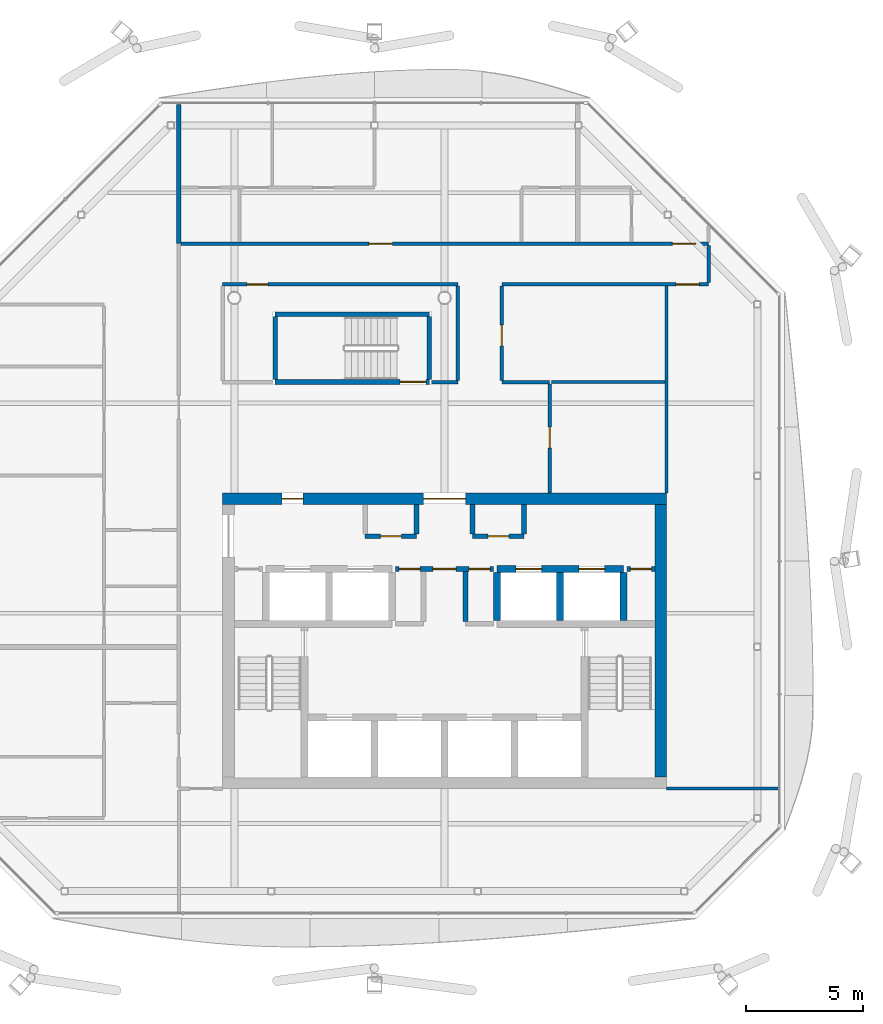
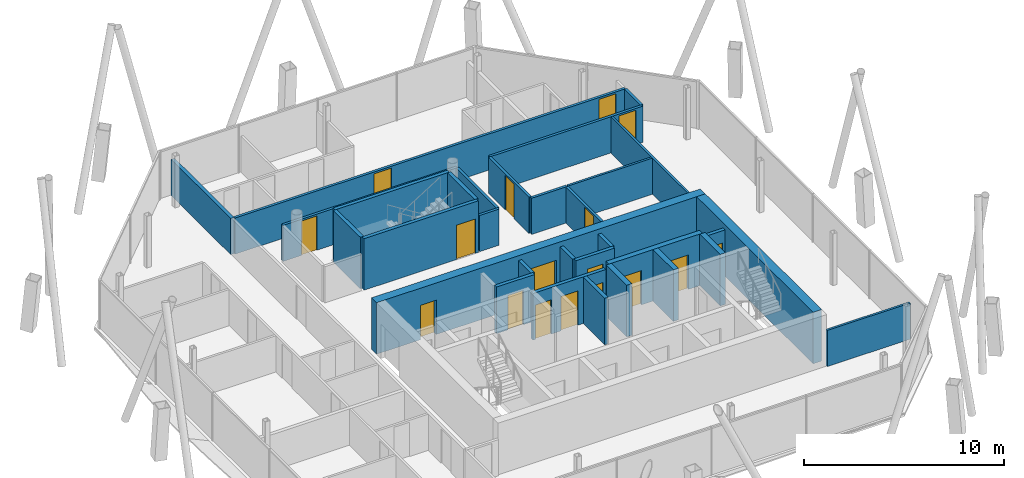
# One storey, part 11 of 16: 31 walls, 17 doors, 17 openings.
"""IFC4 building model written with IfcOpenShell, lengths in metres."""

from ifc_helpers import new_model, si_unit, direction, frame, frame_2d, origin, place, context, subcontext, project, spatial, rectangle, extrude, material, layer, layer_set, type_object, element, fill, save


model = new_model("IFC4")

# Units and contexts
model_context = context("Model", 3, precision=1e-05, world=origin(), true_north=direction((0.0, 1.0)))
body_context = subcontext(model_context, "Body", "Model", "MODEL_VIEW")
ifc_project = project(units=[si_unit("LENGTHUNIT", "METRE"), si_unit("AREAUNIT", "SQUARE_METRE"), si_unit("VOLUMEUNIT", "CUBIC_METRE"), si_unit("PLANEANGLEUNIT", "RADIAN"), si_unit("MASSUNIT", "GRAM", prefix="KILO")], contexts=[model_context])

# Site, building, storey
site_placement = place(None, origin())
site = spatial("IfcSite", under=ifc_project, at=site_placement, CompositionType="ELEMENT")
building_placement = place(site_placement, origin())
building = spatial("IfcBuilding", under=site, at=building_placement, Name="Tskaro Facet Tower", CompositionType="ELEMENT")
storey_placement = place(building_placement, frame((0.0, 0.0, 245.550048828125)))
storey = spatial("IfcBuildingStorey", under=building, at=storey_placement, Name="L64", CompositionType="ELEMENT", Elevation=245.550048828125)

# Wall, openings, doors
ifc_material_1 = material(Name="Concrete C60/75", Category="concrete")
ifc_layer_1 = layer(ifc_material_1, 0.300048828125, Name="Concrete C60/75")
ifc_layer_set_1 = layer_set([ifc_layer_1], Name="Concrete C60/75")
wall_type_1 = type_object("IfcWallType", Name="CORE-SHAFT", PredefinedType="SHEAR", material=ifc_layer_set_1)
wall_1_placement = place(storey_placement, frame((2.25, -2.60009765625, 0.0), z_axis=(0.0, 0.0, 1.0), x_axis=(1.0, 0.0, 0.0)))
wall_1 = element("IfcWall", 1, at=wall_1_placement, inside=storey, type_object=wall_type_1, Name="Shaft wall W018", PredefinedType="SHEAR", context=body_context, shape_type="SweptSolid", body=[
    extrude(rectangle(XDim=5.39990234375, YDim=0.300048828125, at=frame_2d((2.699951171875, 0.0))), origin(), (0.0, 0.0, 1.0), 3.14990234375),
])
opening_1_placement = place(wall_1_placement, frame((0.800048828125, 0.0, 0.0)))
opening_1 = element("IfcOpeningElement", 2, at=opening_1_placement, cuts=wall_1, Name="Opening LD-HB3", PredefinedType="OPENING", context=body_context, shape_type="SweptSolid", body=[
    extrude(rectangle(XDim=1.10009765625, YDim=2.10009765625, at=frame_2d((0.550048828125, 1.050048828125))), frame((0.0, 0.159912109375, 0.0), z_axis=(0.0, -1.0, 0.0), x_axis=(1.0, 0.0, 0.0)), (0.0, 0.0, 1.0), 0.320068359375),
])
opening_2_placement = place(wall_1_placement, frame((3.5, 0.0, 0.0)))
opening_2 = element("IfcOpeningElement", 3, at=opening_2_placement, cuts=wall_1, Name="Opening LD-HB4", PredefinedType="OPENING", context=body_context, shape_type="SweptSolid", body=[
    extrude(rectangle(XDim=1.10009765625, YDim=2.10009765625, at=frame_2d((0.550048828125, 1.050048828125))), frame((0.0, 0.159912109375, 0.0), z_axis=(0.0, -1.0, 0.0), x_axis=(1.0, 0.0, 0.0)), (0.0, 0.0, 1.0), 0.320068359375),
])
ifc_material_2 = material(Name="Stainless steel", Category="steel")
door_type_1 = type_object("IfcDoorType", Name="D-LANDING", OperationType="NOTDEFINED", PredefinedType="DOOR", material=ifc_material_2)
door_1_placement = place(opening_1_placement, origin())
door_1 = element("IfcDoor", 4, at=door_1_placement, inside=storey, type_object=door_type_1, Name="Landing door HB3", OperationType="DOUBLE_DOOR_SLIDING", OverallHeight=2.10009765625, OverallWidth=1.10009765625, PredefinedType="DOOR", context=body_context, shape_type="SweptSolid", body=[
    extrude(rectangle(XDim=1.10009765625, YDim=2.10009765625, at=frame_2d((0.550048828125, 1.050048828125))), frame((0.0, 0.02490234375, 0.0), z_axis=(0.0, -1.0, 0.0), x_axis=(1.0, 0.0, 0.0)), (0.0, 0.0, 1.0), 0.050048828125),
])
fill(opening_1, door_1)
door_2_placement = place(opening_2_placement, origin())
door_2 = element("IfcDoor", 5, at=door_2_placement, inside=storey, type_object=door_type_1, Name="Landing door HB4", OperationType="DOUBLE_DOOR_SLIDING", OverallHeight=2.10009765625, OverallWidth=1.10009765625, PredefinedType="DOOR", context=body_context, shape_type="SweptSolid", body=[
    extrude(rectangle(XDim=1.10009765625, YDim=2.10009765625, at=frame_2d((0.550048828125, 1.050048828125))), frame((0.0, 0.02490234375, 0.0), z_axis=(0.0, -1.0, 0.0), x_axis=(1.0, 0.0, 0.0)), (0.0, 0.0, 1.0), 0.050048828125),
])
fill(opening_2, door_2)

# Walls
for number, where, z_axis, x_axis, name in (
    (6, (2.25, -4.800048828125, 0.0), (0.0, 0.0, 1.0), (0.0, 1.0, 0.0), "Shaft wall W062"),
    (7, (4.949951171875, -4.800048828125, 0.0), (0.0, 0.0, 1.0), (0.0, 1.0, 0.0), "Shaft wall W068"),
    (8, (7.64990234375, -4.800048828125, 0.0), (0.0, 0.0, 1.0), (0.0, 1.0, 0.0), "Shaft wall W072"),
):
    element("IfcWall", number, at=place(storey_placement, frame(where, z_axis=z_axis, x_axis=x_axis)), inside=storey, type_object=wall_type_1, Name=name, PredefinedType="SHEAR", context=body_context, shape_type="SweptSolid", body=[
        extrude(rectangle(XDim=2.050048828125, YDim=0.300048828125, at=frame_2d((1.02490234375, 0.0))), origin(), (0.0, 0.0, 1.0), 3.14990234375),
    ])

# Wall, openings, doors
ifc_material_3 = material(Name="Concrete C20/25", Category="concrete")
ifc_layer_2 = layer(ifc_material_3, 0.199951171875, Name="Concrete C20/25")
ifc_layer_set_2 = layer_set([ifc_layer_2], Name="Concrete C20/25")
wall_type_2 = type_object("IfcWallType", Name="CORE-WALL", PredefinedType="SOLIDWALL", material=ifc_layer_set_2)
wall_2_placement = place(storey_placement, frame((2.10009765625, -2.60009765625, 0.0), z_axis=(0.0, 0.0, 1.0), x_axis=(-1.0, 0.0, 0.0)))
wall_2 = element("IfcWall", 9, at=wall_2_placement, inside=storey, type_object=wall_type_2, Name="Core room wall W017", PredefinedType="SOLIDWALL", context=body_context, shape_type="SweptSolid", body=[
    extrude(rectangle(XDim=4.2001953125, YDim=0.199951171875, at=frame_2d((2.10009765625, 0.0))), origin(), (0.0, 0.0, 1.0), 2.849853515625),
])
opening_3_placement = place(wall_2_placement, frame((1.60009765625, 0.0, 0.0)))
opening_3 = element("IfcOpeningElement", 10, at=opening_3_placement, cuts=wall_2, Name="Opening FL-D1", PredefinedType="OPENING", context=body_context, shape_type="SweptSolid", body=[
    extrude(rectangle(XDim=1.0, YDim=2.10009765625, at=frame_2d((0.5, 1.050048828125))), frame((0.0, 0.10986328125, 0.0), z_axis=(0.0, -1.0, 0.0), x_axis=(1.0, 0.0, 0.0)), (0.0, 0.0, 1.0), 0.219970703125),
])
opening_4_placement = place(wall_2_placement, frame((3.14990234375, 0.0, 0.0)))
opening_4 = element("IfcOpeningElement", 11, at=opening_4_placement, cuts=wall_2, Name="Opening T19-D08", PredefinedType="OPENING", context=body_context, shape_type="SweptSolid", body=[
    extrude(rectangle(XDim=0.89990234375, YDim=2.10009765625, at=frame_2d((0.449951171875, 1.050048828125))), frame((0.0, 0.10986328125, 0.0), z_axis=(0.0, -1.0, 0.0), x_axis=(1.0, 0.0, 0.0)), (0.0, 0.0, 1.0), 0.219970703125),
])
opening_5_placement = place(wall_2_placement, frame((0.14990234375, 0.0, 0.0)))
opening_5 = element("IfcOpeningElement", 12, at=opening_5_placement, cuts=wall_2, Name="Opening T19-D09", PredefinedType="OPENING", context=body_context, shape_type="SweptSolid", body=[
    extrude(rectangle(XDim=0.89990234375, YDim=2.10009765625, at=frame_2d((0.449951171875, 1.050048828125))), frame((0.0, 0.10986328125, 0.0), z_axis=(0.0, -1.0, 0.0), x_axis=(1.0, 0.0, 0.0)), (0.0, 0.0, 1.0), 0.219970703125),
])
ifc_material_4 = material(Name="Steel", Category="steel")
door_type_2 = type_object("IfcDoorType", Name="D-LOBBY", OperationType="NOTDEFINED", PredefinedType="DOOR", material=ifc_material_4)
door_3_placement = place(opening_3_placement, origin())
door_3 = element("IfcDoor", 13, at=door_3_placement, inside=storey, type_object=door_type_2, Name="Lobby door FL", OperationType="SINGLE_SWING_RIGHT", OverallHeight=2.10009765625, OverallWidth=1.0, PredefinedType="DOOR", context=body_context, shape_type="SweptSolid", body=[
    extrude(rectangle(XDim=1.0, YDim=2.10009765625, at=frame_2d((0.5, 1.050048828125))), frame((0.0, 0.02490234375, 0.0), z_axis=(0.0, -1.0, 0.0), x_axis=(1.0, 0.0, 0.0)), (0.0, 0.0, 1.0), 0.050048828125),
])
fill(opening_3, door_3)
ifc_material_5 = material(Name="Timber", Category="wood")
door_type_3 = type_object("IfcDoorType", Name="D-ROOM", OperationType="NOTDEFINED", PredefinedType="DOOR", material=ifc_material_5)
door_4_placement = place(opening_4_placement, origin())
door_4 = element("IfcDoor", 14, at=door_4_placement, inside=storey, type_object=door_type_3, Name="Door T19-D08", OperationType="SINGLE_SWING_RIGHT", OverallHeight=2.10009765625, OverallWidth=0.89990234375, PredefinedType="DOOR", context=body_context, shape_type="SweptSolid", body=[
    extrude(rectangle(XDim=0.89990234375, YDim=2.10009765625, at=frame_2d((0.449951171875, 1.050048828125))), frame((0.0, 0.02490234375, 0.0), z_axis=(0.0, -1.0, 0.0), x_axis=(1.0, 0.0, 0.0)), (0.0, 0.0, 1.0), 0.050048828125),
])
fill(opening_4, door_4)
door_5_placement = place(opening_5_placement, origin())
door_5 = element("IfcDoor", 15, at=door_5_placement, inside=storey, type_object=door_type_3, Name="Door T19-D09", OperationType="SINGLE_SWING_RIGHT", OverallHeight=2.10009765625, OverallWidth=0.89990234375, PredefinedType="DOOR", context=body_context, shape_type="SweptSolid", body=[
    extrude(rectangle(XDim=0.89990234375, YDim=2.10009765625, at=frame_2d((0.449951171875, 1.050048828125))), frame((0.0, 0.02490234375, 0.0), z_axis=(0.0, -1.0, 0.0), x_axis=(1.0, 0.0, 0.0)), (0.0, 0.0, 1.0), 0.050048828125),
])
fill(opening_5, door_5)

# Wall, opening, door
wall_3_placement = place(storey_placement, frame((9.0, -2.60009765625, 0.0), z_axis=(0.0, 0.0, 1.0), x_axis=(-1.0, 0.0, 0.0)))
wall_3 = element("IfcWall", 16, at=wall_3_placement, inside=storey, type_object=wall_type_2, Name="Core room wall W019", PredefinedType="SOLIDWALL", context=body_context, shape_type="SweptSolid", body=[
    extrude(rectangle(XDim=1.199951171875, YDim=0.199951171875, at=frame_2d((0.60009765625, 0.0))), origin(), (0.0, 0.0, 1.0), 2.849853515625),
])
opening_6_placement = place(wall_3_placement, frame((0.14990234375, 0.0, 0.0)))
opening_6 = element("IfcOpeningElement", 17, at=opening_6_placement, cuts=wall_3, Name="Opening T19-D10", PredefinedType="OPENING", context=body_context, shape_type="SweptSolid", body=[
    extrude(rectangle(XDim=0.89990234375, YDim=2.10009765625, at=frame_2d((0.449951171875, 1.050048828125))), frame((0.0, 0.10986328125, 0.0), z_axis=(0.0, -1.0, 0.0), x_axis=(1.0, 0.0, 0.0)), (0.0, 0.0, 1.0), 0.219970703125),
])
door_6_placement = place(opening_6_placement, origin())
door_6 = element("IfcDoor", 18, at=door_6_placement, inside=storey, type_object=door_type_3, Name="Door T19-D10", OperationType="SINGLE_SWING_RIGHT", OverallHeight=2.10009765625, OverallWidth=0.89990234375, PredefinedType="DOOR", context=body_context, shape_type="SweptSolid", body=[
    extrude(rectangle(XDim=0.89990234375, YDim=2.10009765625, at=frame_2d((0.449951171875, 1.050048828125))), frame((0.0, 0.02490234375, 0.0), z_axis=(0.0, -1.0, 0.0), x_axis=(1.0, 0.0, 0.0)), (0.0, 0.0, 1.0), 0.050048828125),
])
fill(opening_6, door_6)

wall_4_placement = place(storey_placement, frame((-3.39990234375, -1.199951171875, 0.0), z_axis=(0.0, 0.0, 1.0), x_axis=(1.0, 0.0, 0.0)))
wall_4 = element("IfcWall", 19, at=wall_4_placement, inside=storey, type_object=wall_type_2, Name="Core room wall W020", PredefinedType="SOLIDWALL", context=body_context, shape_type="SweptSolid", body=[
    extrude(rectangle(XDim=2.199951171875, YDim=0.199951171875, at=frame_2d((1.10009765625, 0.0))), origin(), (0.0, 0.0, 1.0), 2.849853515625),
])
opening_7_placement = place(wall_4_placement, frame((0.64990234375, 0.0, 0.0)))
opening_7 = element("IfcOpeningElement", 20, at=opening_7_placement, cuts=wall_4, Name="Opening T19-D12", PredefinedType="OPENING", context=body_context, shape_type="SweptSolid", body=[
    extrude(rectangle(XDim=0.89990234375, YDim=2.10009765625, at=frame_2d((0.449951171875, 1.050048828125))), frame((0.0, 0.10986328125, 0.0), z_axis=(0.0, -1.0, 0.0), x_axis=(1.0, 0.0, 0.0)), (0.0, 0.0, 1.0), 0.219970703125),
])
door_7_placement = place(opening_7_placement, origin())
door_7 = element("IfcDoor", 21, at=door_7_placement, inside=storey, type_object=door_type_3, Name="Door T19-D12", OperationType="SINGLE_SWING_LEFT", OverallHeight=2.10009765625, OverallWidth=0.89990234375, PredefinedType="DOOR", context=body_context, shape_type="SweptSolid", body=[
    extrude(rectangle(XDim=0.89990234375, YDim=2.10009765625, at=frame_2d((0.449951171875, 1.050048828125))), frame((0.0, 0.02490234375, 0.0), z_axis=(0.0, -1.0, 0.0), x_axis=(1.0, 0.0, 0.0)), (0.0, 0.0, 1.0), 0.050048828125),
])
fill(opening_7, door_7)

wall_5_placement = place(storey_placement, frame((1.199951171875, -1.199951171875, 0.0), z_axis=(0.0, 0.0, 1.0), x_axis=(1.0, 0.0, 0.0)))
wall_5 = element("IfcWall", 22, at=wall_5_placement, inside=storey, type_object=wall_type_2, Name="Core room wall W021", PredefinedType="SOLIDWALL", context=body_context, shape_type="SweptSolid", body=[
    extrude(rectangle(XDim=2.199951171875, YDim=0.199951171875, at=frame_2d((1.10009765625, 0.0))), origin(), (0.0, 0.0, 1.0), 2.849853515625),
])
opening_8_placement = place(wall_5_placement, frame((0.64990234375, 0.0, 0.0)))
opening_8 = element("IfcOpeningElement", 23, at=opening_8_placement, cuts=wall_5, Name="Opening T19-D13", PredefinedType="OPENING", context=body_context, shape_type="SweptSolid", body=[
    extrude(rectangle(XDim=0.89990234375, YDim=2.10009765625, at=frame_2d((0.449951171875, 1.050048828125))), frame((0.0, 0.10986328125, 0.0), z_axis=(0.0, -1.0, 0.0), x_axis=(1.0, 0.0, 0.0)), (0.0, 0.0, 1.0), 0.219970703125),
])
door_8_placement = place(opening_8_placement, origin())
door_8 = element("IfcDoor", 24, at=door_8_placement, inside=storey, type_object=door_type_3, Name="Door T19-D13", OperationType="SINGLE_SWING_LEFT", OverallHeight=2.10009765625, OverallWidth=0.89990234375, PredefinedType="DOOR", context=body_context, shape_type="SweptSolid", body=[
    extrude(rectangle(XDim=0.89990234375, YDim=2.10009765625, at=frame_2d((0.449951171875, 1.050048828125))), frame((0.0, 0.02490234375, 0.0), z_axis=(0.0, -1.0, 0.0), x_axis=(1.0, 0.0, 0.0)), (0.0, 0.0, 1.0), 0.050048828125),
])
fill(opening_8, door_8)

# Walls
wall_6_placement = place(storey_placement, frame((-1.199951171875, -1.10009765625, 0.0), z_axis=(0.0, 0.0, 1.0), x_axis=(0.0, 1.0, 0.0)))
element("IfcWall", 25, at=wall_6_placement, inside=storey, type_object=wall_type_2, Name="Core room wall W055", PredefinedType="SOLIDWALL", context=body_context, shape_type="SweptSolid", body=[
    extrude(rectangle(XDim=1.25, YDim=0.199951171875, at=frame_2d((0.625, 0.0))), origin(), (0.0, 0.0, 1.0), 2.849853515625),
])
wall_7_placement = place(storey_placement, frame((0.89990234375, -4.85009765625, 0.0), z_axis=(0.0, 0.0, 1.0), x_axis=(0.0, 1.0, 0.0)))
element("IfcWall", 26, at=wall_7_placement, inside=storey, type_object=wall_type_2, Name="Core room wall W060", PredefinedType="SOLIDWALL", context=body_context, shape_type="SweptSolid", body=[
    extrude(rectangle(XDim=2.150146484375, YDim=0.199951171875, at=frame_2d((1.0751953125, 0.0))), origin(), (0.0, 0.0, 1.0), 2.849853515625),
])
for number, where, z_axis, x_axis, name in (
    (27, (1.199951171875, -1.10009765625, 0.0), (0.0, 0.0, 1.0), (0.0, 1.0, 0.0), "Core room wall W061"),
    (28, (3.39990234375, -1.10009765625, 0.0), (0.0, 0.0, 1.0), (0.0, 1.0, 0.0), "Core room wall W066"),
):
    element("IfcWall", number, at=place(storey_placement, frame(where, z_axis=z_axis, x_axis=x_axis)), inside=storey, type_object=wall_type_2, Name=name, PredefinedType="SOLIDWALL", context=body_context, shape_type="SweptSolid", body=[
        extrude(rectangle(XDim=1.25, YDim=0.199951171875, at=frame_2d((0.625, 0.0))), origin(), (0.0, 0.0, 1.0), 2.849853515625),
    ])

# Wall, openings, doors
ifc_material_6 = material(Name="Concrete C40/50", Category="concrete")
ifc_layer_3 = layer(ifc_material_6, 0.5, Name="Concrete C40/50")
ifc_layer_set_3 = layer_set([ifc_layer_3], Name="Concrete C40/50")
wall_type_3 = type_object("IfcWallType", Name="Core wall 500", PredefinedType="SHEAR", material=ifc_layer_set_3)
wall_8_placement = place(storey_placement, frame((-9.5, 0.39990234375, 0.0), z_axis=(0.0, 0.0, 1.0), x_axis=(1.0, 0.0, 0.0)))
wall_8 = element("IfcWall", 29, at=wall_8_placement, inside=storey, type_object=wall_type_3, Name="Core wall CW-Z3N", PredefinedType="SHEAR", context=body_context, shape_type="SweptSolid", body=[
    extrude(rectangle(XDim=19.0, YDim=0.5, at=frame_2d((9.5, 0.0))), origin(), (0.0, 0.0, 1.0), 3.14990234375),
])
opening_9_placement = place(wall_8_placement, frame((8.60009765625, 0.0, 0.0)))
opening_9 = element("IfcOpeningElement", 30, at=opening_9_placement, cuts=wall_8, Name="Opening T19-D17", PredefinedType="OPENING", context=body_context, shape_type="SweptSolid", body=[
    extrude(rectangle(XDim=1.800048828125, YDim=2.10009765625, at=frame_2d((0.89990234375, 1.050048828125))), frame((0.0, 0.260009765625, 0.0), z_axis=(0.0, -1.0, 0.0), x_axis=(1.0, 0.0, 0.0)), (0.0, 0.0, 1.0), 0.52001953125),
])
opening_10_placement = place(wall_8_placement, frame((2.550048828125, 0.0, 0.0)))
opening_10 = element("IfcOpeningElement", 31, at=opening_10_placement, cuts=wall_8, Name="Opening T19-D16", PredefinedType="OPENING", context=body_context, shape_type="SweptSolid", body=[
    extrude(rectangle(XDim=0.89990234375, YDim=2.10009765625, at=frame_2d((0.449951171875, 1.050048828125))), frame((0.0, 0.260009765625, 0.0), z_axis=(0.0, -1.0, 0.0), x_axis=(1.0, 0.0, 0.0)), (0.0, 0.0, 1.0), 0.52001953125),
])
door_type_4 = type_object("IfcDoorType", Name="D-CORE-PAIR", OperationType="NOTDEFINED", PredefinedType="DOOR", material=ifc_material_4)
door_9_placement = place(opening_9_placement, origin())
door_9 = element("IfcDoor", 32, at=door_9_placement, inside=storey, type_object=door_type_4, Name="Door T19-D17", OperationType="DOUBLE_DOOR_SINGLE_SWING", OverallHeight=2.10009765625, OverallWidth=1.800048828125, PredefinedType="DOOR", context=body_context, shape_type="SweptSolid", body=[
    extrude(rectangle(XDim=1.800048828125, YDim=2.10009765625, at=frame_2d((0.89990234375, 1.050048828125))), frame((0.0, 0.02490234375, 0.0), z_axis=(0.0, -1.0, 0.0), x_axis=(1.0, 0.0, 0.0)), (0.0, 0.0, 1.0), 0.050048828125),
])
fill(opening_9, door_9)
door_10_placement = place(opening_10_placement, origin())
door_10 = element("IfcDoor", 33, at=door_10_placement, inside=storey, type_object=door_type_3, Name="Door T19-D16", OperationType="SINGLE_SWING_LEFT", OverallHeight=2.10009765625, OverallWidth=0.89990234375, PredefinedType="DOOR", context=body_context, shape_type="SweptSolid", body=[
    extrude(rectangle(XDim=0.89990234375, YDim=2.10009765625, at=frame_2d((0.449951171875, 1.050048828125))), frame((0.0, 0.02490234375, 0.0), z_axis=(0.0, -1.0, 0.0), x_axis=(1.0, 0.0, 0.0)), (0.0, 0.0, 1.0), 0.050048828125),
])
fill(opening_10, door_10)

# Walls
wall_9_placement = place(storey_placement, frame((9.25, -11.5, 0.0), z_axis=(0.0, 0.0, 1.0), x_axis=(0.0, 1.0, 0.0)))
element("IfcWall", 34, at=wall_9_placement, inside=storey, type_object=wall_type_3, Name="Core wall CW-Z3E", PredefinedType="SHEAR", context=body_context, shape_type="SweptSolid", body=[
    extrude(rectangle(XDim=11.64990234375, YDim=0.5, at=frame_2d((5.824951171875, 0.0))), origin(), (0.0, 0.0, 1.0), 3.14990234375),
])
ifc_material_7 = material(Name="Gypsum board on steel studs", Category="steel")
ifc_layer_4 = layer(ifc_material_7, 0.125, Name="Gypsum board on steel studs")
ifc_layer_set_4 = layer_set([ifc_layer_4], Name="Gypsum board on steel studs")
wall_type_4 = type_object("IfcWallType", Name="PART", PredefinedType="PARTITIONING", material=ifc_layer_set_4)
wall_10_placement = place(storey_placement, frame((9.5, -12.0, 0.0), z_axis=(0.0, 0.0, 1.0), x_axis=(1.0, 0.0, 0.0)))
element("IfcWall", 35, at=wall_10_placement, inside=storey, type_object=wall_type_4, Name="Partition W004", PredefinedType="PARTITIONING", context=body_context, shape_type="SweptSolid", body=[
    extrude(rectangle(XDim=4.791015625, YDim=0.125, at=frame_2d((2.3955078125, 0.0))), origin(), (0.0, 0.0, 1.0), 2.2099609375),
])
wall_11_placement = place(storey_placement, frame((4.574951171875, 5.39990234375, 0.0), z_axis=(0.0, 0.0, 1.0), x_axis=(1.0, 0.0, 0.0)))
element("IfcWall", 36, at=wall_11_placement, inside=storey, type_object=wall_type_4, Name="Partition W029", PredefinedType="PARTITIONING", context=body_context, shape_type="SweptSolid", body=[
    extrude(rectangle(XDim=4.862548828125, YDim=0.125, at=frame_2d((2.43115234375, 0.0))), origin(), (0.0, 0.0, 1.0), 2.2099609375),
])
wall_12_placement = place(storey_placement, frame((9.5, 0.64990234375, 0.0), z_axis=(0.0, 0.0, 1.0), x_axis=(0.0, 1.0, 0.0)))
element("IfcWall", 37, at=wall_12_placement, inside=storey, type_object=wall_type_4, Name="Partition W074", PredefinedType="PARTITIONING", context=body_context, shape_type="SweptSolid", body=[
    extrude(rectangle(XDim=8.85009765625, YDim=0.125, at=frame_2d((4.425048828125, 0.0))), origin(), (0.0, 0.0, 1.0), 2.2099609375),
])
ifc_layer_5 = layer(ifc_material_7, 0.14990234375, Name="Gypsum board on steel studs")
ifc_layer_set_5 = layer_set([ifc_layer_5], Name="Gypsum board on steel studs")
wall_type_5 = type_object("IfcWallType", Name="PART-CORR", PredefinedType="PARTITIONING", material=ifc_layer_set_5)
wall_13_placement = place(storey_placement, frame((-0.550048828125, 5.39990234375, 0.0), z_axis=(0.0, 0.0, 1.0), x_axis=(1.0, 0.0, 0.0)))
element("IfcWall", 38, at=wall_13_placement, inside=storey, type_object=wall_type_5, Name="Corridor wall W027", PredefinedType="PARTITIONING", context=body_context, shape_type="SweptSolid", body=[
    extrude(rectangle(XDim=1.125, YDim=0.14990234375, at=frame_2d((0.5625, 0.0))), origin(), (0.0, 0.0, 1.0), 2.2099609375),
])
wall_14_placement = place(storey_placement, frame((2.449951171875, 5.39990234375, 0.0), z_axis=(0.0, 0.0, 1.0), x_axis=(1.0, 0.0, 0.0)))
element("IfcWall", 39, at=wall_14_placement, inside=storey, type_object=wall_type_5, Name="Corridor wall W028", PredefinedType="PARTITIONING", context=body_context, shape_type="SweptSolid", body=[
    extrude(rectangle(XDim=2.050048828125, YDim=0.14990234375, at=frame_2d((1.02490234375, 0.0))), origin(), (0.0, 0.0, 1.0), 2.2099609375),
])

# Wall, opening, door
wall_15_placement = place(storey_placement, frame((0.574951171875, 9.574951171875, 0.0), z_axis=(0.0, 0.0, 1.0), x_axis=(-1.0, 0.0, 0.0)))
wall_15 = element("IfcWall", 40, at=wall_15_placement, inside=storey, type_object=wall_type_5, Name="Corridor wall W034", PredefinedType="PARTITIONING", context=body_context, shape_type="SweptSolid", body=[
    extrude(rectangle(XDim=10.074951171875, YDim=0.14990234375, at=frame_2d((5.03759765625, 0.0))), origin(), (0.0, 0.0, 1.0), 2.2099609375),
])
opening_11_placement = place(wall_15_placement, frame((8.125, 0.0, 0.0)))
opening_11 = element("IfcOpeningElement", 41, at=opening_11_placement, cuts=wall_15, Name="Opening T19-D23", PredefinedType="OPENING", context=body_context, shape_type="SweptSolid", body=[
    extrude(rectangle(XDim=0.89990234375, YDim=2.10009765625, at=frame_2d((0.449951171875, 1.050048828125))), frame((0.0, 0.0849609375, 0.0), z_axis=(0.0, -1.0, 0.0), x_axis=(1.0, 0.0, 0.0)), (0.0, 0.0, 1.0), 0.169921875),
])
door_11_placement = place(opening_11_placement, origin())
door_11 = element("IfcDoor", 42, at=door_11_placement, inside=storey, type_object=door_type_3, Name="Door T19-D23", OperationType="SINGLE_SWING_RIGHT", OverallHeight=2.10009765625, OverallWidth=0.89990234375, PredefinedType="DOOR", context=body_context, shape_type="SweptSolid", body=[
    extrude(rectangle(XDim=0.89990234375, YDim=2.10009765625, at=frame_2d((0.449951171875, 1.050048828125))), frame((0.0, 0.02490234375, 0.0), z_axis=(0.0, -1.0, 0.0), x_axis=(1.0, 0.0, 0.0)), (0.0, 0.0, 1.0), 0.050048828125),
])
fill(opening_11, door_11)

wall_16_placement = place(storey_placement, frame((11.300048828125, 9.574951171875, 0.0), z_axis=(0.0, 0.0, 1.0), x_axis=(-1.0, 0.0, 0.0)))
wall_16 = element("IfcWall", 43, at=wall_16_placement, inside=storey, type_object=wall_type_5, Name="Corridor wall W035", PredefinedType="PARTITIONING", context=body_context, shape_type="SweptSolid", body=[
    extrude(rectangle(XDim=8.85009765625, YDim=0.14990234375, at=frame_2d((4.425048828125, 0.0))), origin(), (0.0, 0.0, 1.0), 2.2099609375),
])
opening_12_placement = place(wall_16_placement, frame((0.39990234375, 0.0, 0.0)))
opening_12 = element("IfcOpeningElement", 44, at=opening_12_placement, cuts=wall_16, Name="Opening T19-D24", PredefinedType="OPENING", context=body_context, shape_type="SweptSolid", body=[
    extrude(rectangle(XDim=1.0, YDim=2.10009765625, at=frame_2d((0.5, 1.050048828125))), frame((0.0, 0.0849609375, 0.0), z_axis=(0.0, -1.0, 0.0), x_axis=(1.0, 0.0, 0.0)), (0.0, 0.0, 1.0), 0.169921875),
])
door_type_5 = type_object("IfcDoorType", Name="D-ROOM-WIDE", OperationType="NOTDEFINED", PredefinedType="DOOR", material=ifc_material_5)
door_12_placement = place(opening_12_placement, origin())
door_12 = element("IfcDoor", 45, at=door_12_placement, inside=storey, type_object=door_type_5, Name="Door T19-D24", OperationType="SINGLE_SWING_RIGHT", OverallHeight=2.10009765625, OverallWidth=1.0, PredefinedType="DOOR", context=body_context, shape_type="SweptSolid", body=[
    extrude(rectangle(XDim=1.0, YDim=2.10009765625, at=frame_2d((0.5, 1.050048828125))), frame((0.0, 0.02490234375, 0.0), z_axis=(0.0, -1.0, 0.0), x_axis=(1.0, 0.0, 0.0)), (0.0, 0.0, 1.0), 0.050048828125),
])
fill(opening_12, door_12)

# Wall, openings, doors
wall_17_placement = place(storey_placement, frame((-11.27490234375, 11.324951171875, 0.0), z_axis=(0.0, 0.0, 1.0), x_axis=(1.0, 0.0, 0.0)))
wall_17 = element("IfcWall", 46, at=wall_17_placement, inside=storey, type_object=wall_type_5, Name="Corridor wall W036", PredefinedType="PARTITIONING", context=body_context, shape_type="SweptSolid", body=[
    extrude(rectangle(XDim=22.574951171875, YDim=0.14990234375, at=frame_2d((11.28759765625, 0.0))), origin(), (0.0, 0.0, 1.0), 2.2099609375),
])
opening_13_placement = place(wall_17_placement, frame((8.03759765625, 0.0, 0.0)))
opening_13 = element("IfcOpeningElement", 47, at=opening_13_placement, cuts=wall_17, Name="Opening T19-D25", PredefinedType="OPENING", context=body_context, shape_type="SweptSolid", body=[
    extrude(rectangle(XDim=1.0, YDim=2.10009765625, at=frame_2d((0.5, 1.050048828125))), frame((0.0, 0.0849609375, 0.0), z_axis=(0.0, -1.0, 0.0), x_axis=(1.0, 0.0, 0.0)), (0.0, 0.0, 1.0), 0.169921875),
])
opening_14_placement = place(wall_17_placement, frame((21.02490234375, 0.0, 0.0)))
opening_14 = element("IfcOpeningElement", 48, at=opening_14_placement, cuts=wall_17, Name="Opening T19-D26", PredefinedType="OPENING", context=body_context, shape_type="SweptSolid", body=[
    extrude(rectangle(XDim=1.0, YDim=2.10009765625, at=frame_2d((0.5, 1.050048828125))), frame((0.0, 0.0849609375, 0.0), z_axis=(0.0, -1.0, 0.0), x_axis=(1.0, 0.0, 0.0)), (0.0, 0.0, 1.0), 0.169921875),
])
door_type_6 = type_object("IfcDoorType", Name="D-FLAT-ENTRY", OperationType="NOTDEFINED", PredefinedType="DOOR", material=ifc_material_5)
door_13_placement = place(opening_13_placement, origin())
door_13 = element("IfcDoor", 49, at=door_13_placement, inside=storey, type_object=door_type_6, Name="Door T19-D25", OperationType="SINGLE_SWING_LEFT", OverallHeight=2.10009765625, OverallWidth=1.0, PredefinedType="DOOR", context=body_context, shape_type="SweptSolid", body=[
    extrude(rectangle(XDim=1.0, YDim=2.10009765625, at=frame_2d((0.5, 1.050048828125))), frame((0.0, 0.02490234375, 0.0), z_axis=(0.0, -1.0, 0.0), x_axis=(1.0, 0.0, 0.0)), (0.0, 0.0, 1.0), 0.050048828125),
])
fill(opening_13, door_13)
door_14_placement = place(opening_14_placement, origin())
door_14 = element("IfcDoor", 50, at=door_14_placement, inside=storey, type_object=door_type_6, Name="Door T19-D26", OperationType="SINGLE_SWING_LEFT", OverallHeight=2.10009765625, OverallWidth=1.0, PredefinedType="DOOR", context=body_context, shape_type="SweptSolid", body=[
    extrude(rectangle(XDim=1.0, YDim=2.10009765625, at=frame_2d((0.5, 1.050048828125))), frame((0.0, 0.02490234375, 0.0), z_axis=(0.0, -1.0, 0.0), x_axis=(1.0, 0.0, 0.0)), (0.0, 0.0, 1.0), 0.050048828125),
])
fill(opening_14, door_14)

# Wall
wall_18_placement = place(storey_placement, frame((0.574951171875, 5.47509765625, 0.0), z_axis=(0.0, 0.0, 1.0), x_axis=(0.0, 1.0, 0.0)))
element("IfcWall", 51, at=wall_18_placement, inside=storey, type_object=wall_type_5, Name="Corridor wall W059", PredefinedType="PARTITIONING", context=body_context, shape_type="SweptSolid", body=[
    extrude(rectangle(XDim=4.02490234375, YDim=0.14990234375, at=frame_2d((2.012451171875, 0.0))), origin(), (0.0, 0.0, 1.0), 2.2099609375),
])

# Wall, opening, door
wall_19_placement = place(storey_placement, frame((2.449951171875, 9.5, 0.0), z_axis=(0.0, 0.0, 1.0), x_axis=(0.0, -1.0, 0.0)))
wall_19 = element("IfcWall", 52, at=wall_19_placement, inside=storey, type_object=wall_type_5, Name="Corridor wall W063", PredefinedType="PARTITIONING", context=body_context, shape_type="SweptSolid", body=[
    extrude(rectangle(XDim=4.02490234375, YDim=0.14990234375, at=frame_2d((2.012451171875, 0.0))), origin(), (0.0, 0.0, 1.0), 2.2099609375),
])
opening_15_placement = place(wall_19_placement, frame((1.64990234375, 0.0, 0.0)))
opening_15 = element("IfcOpeningElement", 53, at=opening_15_placement, cuts=wall_19, Name="Opening T19-D22", PredefinedType="OPENING", context=body_context, shape_type="SweptSolid", body=[
    extrude(rectangle(XDim=0.89990234375, YDim=2.10009765625, at=frame_2d((0.449951171875, 1.050048828125))), frame((0.0, 0.0849609375, 0.0), z_axis=(0.0, -1.0, 0.0), x_axis=(1.0, 0.0, 0.0)), (0.0, 0.0, 1.0), 0.169921875),
])
door_15_placement = place(opening_15_placement, origin())
door_15 = element("IfcDoor", 54, at=door_15_placement, inside=storey, type_object=door_type_3, Name="Door T19-D22", OperationType="SINGLE_SWING_RIGHT", OverallHeight=2.10009765625, OverallWidth=0.89990234375, PredefinedType="DOOR", context=body_context, shape_type="SweptSolid", body=[
    extrude(rectangle(XDim=0.89990234375, YDim=2.10009765625, at=frame_2d((0.449951171875, 1.050048828125))), frame((0.0, 0.02490234375, 0.0), z_axis=(0.0, -1.0, 0.0), x_axis=(1.0, 0.0, 0.0)), (0.0, 0.0, 1.0), 0.050048828125),
])
fill(opening_15, door_15)

wall_20_placement = place(storey_placement, frame((4.5, 5.324951171875, 0.0), z_axis=(0.0, 0.0, 1.0), x_axis=(0.0, -1.0, 0.0)))
wall_20 = element("IfcWall", 55, at=wall_20_placement, inside=storey, type_object=wall_type_5, Name="Corridor wall W067", PredefinedType="PARTITIONING", context=body_context, shape_type="SweptSolid", body=[
    extrude(rectangle(XDim=4.675048828125, YDim=0.14990234375, at=frame_2d((2.33740234375, 0.0))), origin(), (0.0, 0.0, 1.0), 2.2099609375),
])
opening_16_placement = place(wall_20_placement, frame((1.85009765625, 0.0, 0.0)))
opening_16 = element("IfcOpeningElement", 56, at=opening_16_placement, cuts=wall_20, Name="Opening T19-D18", PredefinedType="OPENING", context=body_context, shape_type="SweptSolid", body=[
    extrude(rectangle(XDim=0.89990234375, YDim=2.10009765625, at=frame_2d((0.449951171875, 1.050048828125))), frame((0.0, 0.0849609375, 0.0), z_axis=(0.0, -1.0, 0.0), x_axis=(1.0, 0.0, 0.0)), (0.0, 0.0, 1.0), 0.169921875),
])
door_16_placement = place(opening_16_placement, origin())
door_16 = element("IfcDoor", 57, at=door_16_placement, inside=storey, type_object=door_type_3, Name="Door T19-D18", OperationType="SINGLE_SWING_RIGHT", OverallHeight=2.10009765625, OverallWidth=0.89990234375, PredefinedType="DOOR", context=body_context, shape_type="SweptSolid", body=[
    extrude(rectangle(XDim=0.89990234375, YDim=2.10009765625, at=frame_2d((0.449951171875, 1.050048828125))), frame((0.0, 0.02490234375, 0.0), z_axis=(0.0, -1.0, 0.0), x_axis=(1.0, 0.0, 0.0)), (0.0, 0.0, 1.0), 0.050048828125),
])
fill(opening_16, door_16)

# Walls
wall_21_placement = place(storey_placement, frame((11.300048828125, 9.64990234375, 0.0), z_axis=(0.0, 0.0, 1.0), x_axis=(0.0, 1.0, 0.0)))
element("IfcWall", 58, at=wall_21_placement, inside=storey, type_object=wall_type_5, Name="Corridor wall W075", PredefinedType="PARTITIONING", context=body_context, shape_type="SweptSolid", body=[
    extrude(rectangle(XDim=1.60009765625, YDim=0.14990234375, at=frame_2d((0.800048828125, 0.0))), origin(), (0.0, 0.0, 1.0), 2.2099609375),
])
ifc_layer_6 = layer(ifc_material_7, 0.199951171875, Name="Gypsum board on steel studs")
ifc_layer_set_6 = layer_set([ifc_layer_6], Name="Gypsum board on steel studs")
wall_type_6 = type_object("IfcWallType", Name="PART-DEMISING", PredefinedType="PARTITIONING", material=ifc_layer_set_6)
wall_22_placement = place(storey_placement, frame((-11.375, 11.324951171875, 0.0), z_axis=(0.0, 0.0, 1.0), x_axis=(0.0, 1.0, 0.0)))
element("IfcWall", 59, at=wall_22_placement, inside=storey, type_object=wall_type_6, Name="Guest room wall W042", PredefinedType="PARTITIONING", context=body_context, shape_type="SweptSolid", body=[
    extrude(rectangle(XDim=5.965087890625, YDim=0.199951171875, at=frame_2d((2.982421875, 0.0))), origin(), (0.0, 0.0, 1.0), 2.2099609375),
])

# Wall, opening, door
ifc_layer_7 = layer(ifc_material_1, 0.199951171875, Name="Concrete C60/75")
ifc_layer_set_7 = layer_set([ifc_layer_7], Name="Concrete C60/75")
wall_type_7 = type_object("IfcWallType", Name="STAIR-WALL", PredefinedType="SHEAR", material=ifc_layer_set_7)
wall_23_placement = place(storey_placement, frame((-7.25, 5.39990234375, 0.0), z_axis=(0.0, 0.0, 1.0), x_axis=(1.0, 0.0, 0.0)))
wall_23 = element("IfcWall", 60, at=wall_23_placement, inside=storey, type_object=wall_type_7, Name="Stair wall W026", PredefinedType="SHEAR", context=body_context, shape_type="SweptSolid", body=[
    extrude(rectangle(XDim=6.60009765625, YDim=0.199951171875, at=frame_2d((3.300048828125, 0.0))), origin(), (0.0, 0.0, 1.0), 3.14990234375),
])
opening_17_placement = place(wall_23_placement, frame((5.35009765625, 0.0, 0.0)))
opening_17 = element("IfcOpeningElement", 61, at=opening_17_placement, cuts=wall_23, Name="Opening ST-3-D1", PredefinedType="OPENING", context=body_context, shape_type="SweptSolid", body=[
    extrude(rectangle(XDim=1.10009765625, YDim=2.10009765625, at=frame_2d((0.550048828125, 1.050048828125))), frame((0.0, 0.10986328125, 0.0), z_axis=(0.0, -1.0, 0.0), x_axis=(1.0, 0.0, 0.0)), (0.0, 0.0, 1.0), 0.219970703125),
])
door_type_7 = type_object("IfcDoorType", Name="D-STAIR", OperationType="NOTDEFINED", PredefinedType="DOOR", material=ifc_material_4)
door_17_placement = place(opening_17_placement, origin())
door_17 = element("IfcDoor", 62, at=door_17_placement, inside=storey, type_object=door_type_7, Name="Stair door 3", OperationType="SINGLE_SWING_LEFT", OverallHeight=2.10009765625, OverallWidth=1.10009765625, PredefinedType="DOOR", context=body_context, shape_type="SweptSolid", body=[
    extrude(rectangle(XDim=1.10009765625, YDim=2.10009765625, at=frame_2d((0.550048828125, 1.050048828125))), frame((0.0, 0.02490234375, 0.0), z_axis=(0.0, -1.0, 0.0), x_axis=(1.0, 0.0, 0.0)), (0.0, 0.0, 1.0), 0.050048828125),
])
fill(opening_17, door_17)

# Walls
wall_24_placement = place(storey_placement, frame((-7.25, 8.300048828125, 0.0), z_axis=(0.0, 0.0, 1.0), x_axis=(1.0, 0.0, 0.0)))
element("IfcWall", 63, at=wall_24_placement, inside=storey, type_object=wall_type_7, Name="Stair wall W031", PredefinedType="SHEAR", context=body_context, shape_type="SweptSolid", body=[
    extrude(rectangle(XDim=6.60009765625, YDim=0.199951171875, at=frame_2d((3.300048828125, 0.0))), origin(), (0.0, 0.0, 1.0), 3.14990234375),
])
for number, where, z_axis, x_axis, name in (
    (64, (-7.25, 5.5, 0.0), (0.0, 0.0, 1.0), (0.0, 1.0, 0.0), "Stair wall W047"),
    (65, (-0.64990234375, 5.5, 0.0), (0.0, 0.0, 1.0), (0.0, 1.0, 0.0), "Stair wall W057"),
):
    element("IfcWall", number, at=place(storey_placement, frame(where, z_axis=z_axis, x_axis=x_axis)), inside=storey, type_object=wall_type_7, Name=name, PredefinedType="SHEAR", context=body_context, shape_type="SweptSolid", body=[
        extrude(rectangle(XDim=2.699951171875, YDim=0.199951171875, at=frame_2d((1.35009765625, 0.0))), origin(), (0.0, 0.0, 1.0), 3.14990234375),
    ])

save(model, "model.ifc")
